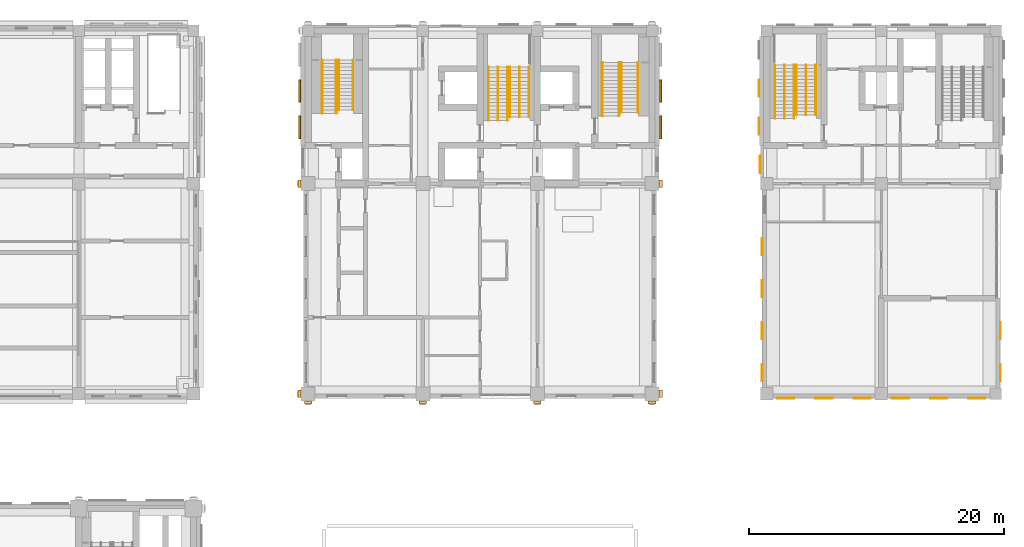
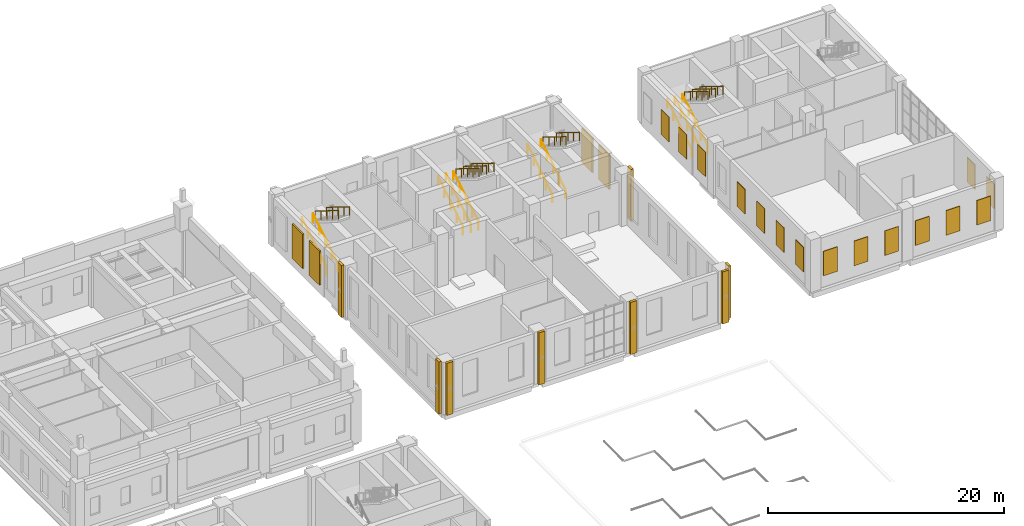
# One storey, part 31 of 37: 27 coverings, 20 railings.
"""IFC4 building model written with IfcOpenShell, lengths in metres."""

from ifc_helpers import new_model, si_unit, direction, frame, origin, origin_2d, place, context, subcontext, project, spatial, rectangle, circle, extrude, material, layer, layer_set, type_object, element, save


model = new_model("IFC4")

# Units and contexts
model_context = context("Model", 3, precision=1e-05, world=origin(), true_north=direction((0.0, 1.0)))
body_context = subcontext(model_context, "Body", "Model", "MODEL_VIEW")
ifc_project = project(units=[si_unit("LENGTHUNIT", "METRE"), si_unit("AREAUNIT", "SQUARE_METRE"), si_unit("VOLUMEUNIT", "CUBIC_METRE"), si_unit("PLANEANGLEUNIT", "RADIAN"), si_unit("MASSUNIT", "GRAM", prefix="KILO")], contexts=[model_context])

# Site, building, storey
site_placement = place(None, origin())
site = spatial("IfcSite", under=ifc_project, at=site_placement, CompositionType="ELEMENT")
building_placement = place(site_placement, origin())
building = spatial("IfcBuilding", under=site, at=building_placement, Name="Aurelan Courthouse", CompositionType="ELEMENT")
storey_placement = place(building_placement, frame((0.0, 0.0, 17.39990234375)))
storey = spatial("IfcBuildingStorey", under=building, at=storey_placement, Name="L03", CompositionType="ELEMENT", Elevation=17.39990234375)

# Coverings
ifc_material_1 = material(Name="Limestone cladding", Category="masonry")
covering_type_1 = type_object("IfcCoveringType", Name="Courtroom Block pilaster fin 600 x 250", PredefinedType="CLADDING", material=ifc_material_1)
for number, where, z_axis, x_axis, name in (
    (1, (36.0, 36.824951171875, 0.000244140625), (0.0, 0.0, 1.0), (1.0, 0.0, 0.0), "Pilaster fin FN-V2-012"),
    (2, (45.0, 36.824951171875, 0.000244140625), (0.0, 0.0, 1.0), (1.0, 0.0, 0.0), "Pilaster fin FN-V2-013"),
    (3, (54.0, 36.824951171875, 0.000244140625), (0.0, 0.0, 1.0), (1.0, 0.0, 0.0), "Pilaster fin FN-V2-014"),
    (4, (63.0, 36.824951171875, 0.000244140625), (0.0, 0.0, 1.0), (1.0, 0.0, 0.0), "Pilaster fin FN-V2-015"),
):
    element("IfcCovering", number, at=place(storey_placement, frame(where, z_axis=z_axis, x_axis=x_axis)), inside=storey, type_object=covering_type_1, Name=name, PredefinedType="CLADDING", context=body_context, shape_type="SweptSolid", body=[
        extrude(rectangle(XDim=0.60009765625, YDim=0.25, at=origin_2d()), origin(), (0.0, 0.0, 1.0), 5.39990234375),
    ])
for number, where, z_axis, x_axis, name in (
    (5, (63.675048828125, 37.5, 0.000244140625), (0.0, 0.0, 1.0), (1.0, 0.0, 0.0), "Pilaster fin FN-V2-020"),
    (6, (63.675048828125, 54.0, 0.000244140625), (0.0, 0.0, 1.0), (1.0, 0.0, 0.0), "Pilaster fin FN-V2-021"),
    (7, (35.324951171875, 37.5, 0.000244140625), (0.0, 0.0, 1.0), (1.0, 0.0, 0.0), "Pilaster fin FN-V2-023"),
    (8, (35.324951171875, 54.0, 0.000244140625), (0.0, 0.0, 1.0), (1.0, 0.0, 0.0), "Pilaster fin FN-V2-024"),
):
    element("IfcCovering", number, at=place(storey_placement, frame(where, z_axis=z_axis, x_axis=x_axis)), inside=storey, type_object=covering_type_1, Name=name, PredefinedType="CLADDING", context=body_context, shape_type="SweptSolid", body=[
        extrude(rectangle(XDim=0.25, YDim=0.60009765625, at=origin_2d()), origin(), (0.0, 0.0, 1.0), 5.39990234375),
    ])
ifc_material_2 = material(Name="Bronze sheet cladding")
ifc_layer_1 = layer(ifc_material_2, 0.06005859375)
ifc_layer_set_1 = layer_set([ifc_layer_1], Name="Bronze sheet cladding")
covering_type_2 = type_object("IfcCoveringType", Name="Law Library blind bay 1350 x 2550", PredefinedType="CLADDING", material=ifc_layer_set_1)
for number, where, z_axis, x_axis, name in (
    (9, (73.5, 37.14990234375, 1.2001953125), (0.0, 0.0, 1.0), (1.0, 0.0, 0.0), "Blind bay BB-V3-L03-001"),
    (10, (76.5, 37.14990234375, 1.2001953125), (0.0, 0.0, 1.0), (1.0, 0.0, 0.0), "Blind bay BB-V3-L03-002"),
    (11, (79.5, 37.14990234375, 1.2001953125), (0.0, 0.0, 1.0), (1.0, 0.0, 0.0), "Blind bay BB-V3-L03-003"),
    (12, (82.5, 37.14990234375, 1.2001953125), (0.0, 0.0, 1.0), (1.0, 0.0, 0.0), "Blind bay BB-V3-L03-004"),
    (13, (85.5, 37.14990234375, 1.2001953125), (0.0, 0.0, 1.0), (1.0, 0.0, 0.0), "Blind bay BB-V3-L03-005"),
    (14, (88.5, 37.14990234375, 1.2001953125), (0.0, 0.0, 1.0), (1.0, 0.0, 0.0), "Blind bay BB-V3-L03-006"),
):
    element("IfcCovering", number, at=place(storey_placement, frame(where, z_axis=z_axis, x_axis=x_axis)), inside=storey, type_object=covering_type_2, Name=name, PredefinedType="CLADDING", context=body_context, shape_type="SweptSolid", body=[
        extrude(rectangle(XDim=1.35009765625, YDim=0.06005859375, at=origin_2d()), origin(), (0.0, 0.0, 1.0), 2.550048828125),
    ])
for number, where, z_axis, x_axis, name in (
    (15, (90.35009765625, 39.14990234375, 1.2001953125), (0.0, 0.0, 1.0), (1.0, 0.0, 0.0), "Blind bay BB-V3-L03-013"),
    (16, (90.35009765625, 42.449951171875, 1.2001953125), (0.0, 0.0, 1.0), (1.0, 0.0, 0.0), "Blind bay BB-V3-L03-014"),
    (17, (71.64990234375, 39.14990234375, 1.2001953125), (0.0, 0.0, 1.0), (1.0, 0.0, 0.0), "Blind bay BB-V3-L03-019"),
    (18, (71.64990234375, 42.449951171875, 1.2001953125), (0.0, 0.0, 1.0), (1.0, 0.0, 0.0), "Blind bay BB-V3-L03-020"),
    (19, (71.64990234375, 45.75, 1.2001953125), (0.0, 0.0, 1.0), (1.0, 0.0, 0.0), "Blind bay BB-V3-L03-021"),
    (20, (71.64990234375, 49.050048828125, 1.2001953125), (0.0, 0.0, 1.0), (1.0, 0.0, 0.0), "Blind bay BB-V3-L03-022"),
    (21, (71.5, 55.5, 1.2001953125), (0.0, 0.0, 1.0), (1.0, 0.0, 0.0), "Blind bay BB-V3-L03-023"),
    (22, (71.39990234375, 58.5, 1.2001953125), (0.0, 0.0, 1.0), (1.0, 0.0, 0.0), "Blind bay BB-V3-L03-024"),
    (23, (71.39990234375, 61.5, 1.2001953125), (0.0, 0.0, 1.0), (1.0, 0.0, 0.0), "Blind bay BB-V3-L03-025"),
):
    element("IfcCovering", number, at=place(storey_placement, frame(where, z_axis=z_axis, x_axis=x_axis)), inside=storey, type_object=covering_type_2, Name=name, PredefinedType="CLADDING", context=body_context, shape_type="SweptSolid", body=[
        extrude(rectangle(XDim=0.06005859375, YDim=1.35009765625, at=origin_2d()), origin(), (0.0, 0.0, 1.0), 2.550048828125),
    ])
ifc_layer_2 = layer(ifc_material_2, 0.14990234375)
ifc_layer_set_2 = layer_set([ifc_layer_2], Name="Bronze sheet cladding")
covering_type_3 = type_object("IfcCoveringType", Name="Relief panel 1800 x 3550 x 150", PredefinedType="CLADDING", material=ifc_layer_set_2)
for number, where, z_axis, x_axis, name in (
    (24, (35.324951171875, 58.425048828125, 1.0), (0.0, 0.0, 1.0), (1.0, 0.0, 0.0), "Relief panel RP-V2-018"),
    (25, (35.324951171875, 61.27490234375, 1.0), (0.0, 0.0, 1.0), (1.0, 0.0, 0.0), "Relief panel RP-V2-019"),
    (26, (63.675048828125, 58.425048828125, 1.0), (0.0, 0.0, 1.0), (1.0, 0.0, 0.0), "Relief panel RP-V2-021"),
    (27, (63.675048828125, 61.27490234375, 1.0), (0.0, 0.0, 1.0), (1.0, 0.0, 0.0), "Relief panel RP-V2-022"),
):
    element("IfcCovering", number, at=place(storey_placement, frame(where, z_axis=z_axis, x_axis=x_axis)), inside=storey, type_object=covering_type_3, Name=name, PredefinedType="CLADDING", context=body_context, shape_type="SweptSolid", body=[
        extrude(rectangle(XDim=0.14990234375, YDim=1.800048828125, at=origin_2d()), origin(), (0.0, 0.0, 1.0), 3.550048828125),
    ])

# Railings
ifc_material_3 = material(Name="Steel S355", Category="steel")
railing_type = type_object("IfcRailingType", Name="Stair handrail 900", PredefinedType="HANDRAIL", material=ifc_material_3)
for number, where, name in (
    (28, (37.110107421875, 59.510009765625, 0.17431640625), "Handrail CS-2-L03-H1"),
    (29, (38.2099609375, 59.510009765625, 0.17431640625), "Handrail CS-2-L03-H2"),
):
    element("IfcRailing", number, at=place(storey_placement, frame(where)), inside=storey, type_object=railing_type, Name=name, PredefinedType="HANDRAIL", context=body_context, shape_type="SweptSolid", body=[
        extrude(circle(Radius=0.02392578125, at=origin_2d()), frame((0.0, 0.0, 0.8759765625), z_axis=(0.0, 0.849102848233, 0.528227558088), x_axis=(-1.0, 0.0, 0.0)), (0.0, 0.0, 1.0), 4.9462890625),
        extrude(circle(Radius=0.02099609375, at=origin_2d()), origin(), (0.0, 0.0, 1.0), 0.851806640625),
        extrude(circle(Radius=0.02099609375, at=origin_2d()), frame((0.0, 1.050048828125, 0.6533203125)), (0.0, 0.0, 1.0), 0.851806640625),
        extrude(circle(Radius=0.02099609375, at=origin_2d()), frame((0.0, 2.10009765625, 1.306396484375)), (0.0, 0.0, 1.0), 0.851806640625),
        extrude(circle(Radius=0.02099609375, at=origin_2d()), frame((0.0, 3.14990234375, 1.95947265625)), (0.0, 0.0, 1.0), 0.851806640625),
        extrude(circle(Radius=0.02099609375, at=origin_2d()), frame((0.0, 4.199951171875, 2.61279296875)), (0.0, 0.0, 1.0), 0.851806640625),
    ])
for number, where, name in (
    (30, (38.409912109375, 63.7099609375, 2.96142578125), "Handrail CS-2-L03-H3"),
    (31, (39.510009765625, 63.7099609375, 2.96142578125), "Handrail CS-2-L03-H4"),
):
    element("IfcRailing", number, at=place(storey_placement, frame(where)), inside=storey, type_object=railing_type, Name=name, PredefinedType="HANDRAIL", context=body_context, shape_type="SweptSolid", body=[
        extrude(circle(Radius=0.02392578125, at=origin_2d()), frame((0.0, 0.0, 0.8759765625), z_axis=(0.0, -0.849089811655, 0.528248513243), x_axis=(1.0, 0.0, 0.0)), (0.0, 0.0, 1.0), 4.61669921875),
        extrude(circle(Radius=0.02099609375, at=origin_2d()), origin(), (0.0, 0.0, 1.0), 0.851806640625),
        extrude(circle(Radius=0.02099609375, at=origin_2d()), frame((0.0, -0.97998046875, 0.609619140625)), (0.0, 0.0, 1.0), 0.851806640625),
        extrude(circle(Radius=0.02099609375, at=origin_2d()), frame((0.0, -1.9599609375, 1.21923828125)), (0.0, 0.0, 1.0), 0.851806640625),
        extrude(circle(Radius=0.02099609375, at=origin_2d()), frame((0.0, -2.93994140625, 1.8291015625)), (0.0, 0.0, 1.0), 0.851806640625),
        extrude(circle(Radius=0.02099609375, at=origin_2d()), frame((0.0, -3.919921875, 2.438720703125)), (0.0, 0.0, 1.0), 0.851806640625),
    ])
for number, where, name in (
    (32, (50.14990234375, 58.9599609375, 0.17431640625), "Handrail ST-2A-L03-H1"),
    (33, (51.64990234375, 58.9599609375, 0.17431640625), "Handrail ST-2A-L03-H2"),
    (34, (50.89990234375, 58.9599609375, 0.17431640625), "Handrail ST-2A-L03-H3"),
):
    element("IfcRailing", number, at=place(storey_placement, frame(where)), inside=storey, type_object=railing_type, Name=name, PredefinedType="HANDRAIL", context=body_context, shape_type="SweptSolid", body=[
        extrude(circle(Radius=0.02392578125, at=origin_2d()), frame((0.0, 0.0, 0.8759765625), z_axis=(0.0, 0.849102848233, 0.528227558088), x_axis=(-1.0, 0.0, 0.0)), (0.0, 0.0, 1.0), 4.9462890625),
        extrude(circle(Radius=0.02099609375, at=origin_2d()), origin(), (0.0, 0.0, 1.0), 0.851806640625),
        extrude(circle(Radius=0.02099609375, at=origin_2d()), frame((0.0, 1.050048828125, 0.6533203125)), (0.0, 0.0, 1.0), 0.851806640625),
        extrude(circle(Radius=0.02099609375, at=origin_2d()), frame((0.0, 2.10009765625, 1.306396484375)), (0.0, 0.0, 1.0), 0.851806640625),
        extrude(circle(Radius=0.02099609375, at=origin_2d()), frame((0.0, 3.14990234375, 1.95947265625)), (0.0, 0.0, 1.0), 0.851806640625),
        extrude(circle(Radius=0.02099609375, at=origin_2d()), frame((0.0, 4.199951171875, 2.61279296875)), (0.0, 0.0, 1.0), 0.851806640625),
    ])
for number, where, name in (
    (35, (51.85009765625, 63.159912109375, 2.96142578125), "Handrail ST-2A-L03-H4"),
    (36, (53.35009765625, 63.159912109375, 2.96142578125), "Handrail ST-2A-L03-H5"),
    (37, (52.60009765625, 63.159912109375, 2.96142578125), "Handrail ST-2A-L03-H6"),
):
    element("IfcRailing", number, at=place(storey_placement, frame(where)), inside=storey, type_object=railing_type, Name=name, PredefinedType="HANDRAIL", context=body_context, shape_type="SweptSolid", body=[
        extrude(circle(Radius=0.02392578125, at=origin_2d()), frame((0.0, 0.0, 0.8759765625), z_axis=(0.0, -0.849089811655, 0.528248513243), x_axis=(1.0, 0.0, 0.0)), (0.0, 0.0, 1.0), 4.61669921875),
        extrude(circle(Radius=0.02099609375, at=origin_2d()), origin(), (0.0, 0.0, 1.0), 0.851806640625),
        extrude(circle(Radius=0.02099609375, at=origin_2d()), frame((0.0, -0.97998046875, 0.609619140625)), (0.0, 0.0, 1.0), 0.851806640625),
        extrude(circle(Radius=0.02099609375, at=origin_2d()), frame((0.0, -1.9599609375, 1.21923828125)), (0.0, 0.0, 1.0), 0.851806640625),
        extrude(circle(Radius=0.02099609375, at=origin_2d()), frame((0.0, -2.93994140625, 1.8291015625)), (0.0, 0.0, 1.0), 0.851806640625),
        extrude(circle(Radius=0.02099609375, at=origin_2d()), frame((0.0, -3.919921875, 2.438720703125)), (0.0, 0.0, 1.0), 0.851806640625),
    ])
for number, where, name in (
    (38, (59.090087890625, 59.31005859375, 0.17431640625), "Handrail ST-2E-L03-H1"),
    (39, (60.389892578125, 59.31005859375, 0.17431640625), "Handrail ST-2E-L03-H2"),
):
    element("IfcRailing", number, at=place(storey_placement, frame(where)), inside=storey, type_object=railing_type, Name=name, PredefinedType="HANDRAIL", context=body_context, shape_type="SweptSolid", body=[
        extrude(circle(Radius=0.02392578125, at=origin_2d()), frame((0.0, 0.0, 0.8759765625), z_axis=(0.0, 0.849102848233, 0.528227558088), x_axis=(-1.0, 0.0, 0.0)), (0.0, 0.0, 1.0), 4.9462890625),
        extrude(circle(Radius=0.02099609375, at=origin_2d()), origin(), (0.0, 0.0, 1.0), 0.851806640625),
        extrude(circle(Radius=0.02099609375, at=origin_2d()), frame((0.0, 1.050048828125, 0.6533203125)), (0.0, 0.0, 1.0), 0.851806640625),
        extrude(circle(Radius=0.02099609375, at=origin_2d()), frame((0.0, 2.10009765625, 1.306396484375)), (0.0, 0.0, 1.0), 0.851806640625),
        extrude(circle(Radius=0.02099609375, at=origin_2d()), frame((0.0, 3.14990234375, 1.95947265625)), (0.0, 0.0, 1.0), 0.851806640625),
        extrude(circle(Radius=0.02099609375, at=origin_2d()), frame((0.0, 4.199951171875, 2.61279296875)), (0.0, 0.0, 1.0), 0.851806640625),
    ])
for number, where, name in (
    (40, (60.590087890625, 63.510009765625, 2.96142578125), "Handrail ST-2E-L03-H3"),
    (41, (61.889892578125, 63.510009765625, 2.96142578125), "Handrail ST-2E-L03-H4"),
):
    element("IfcRailing", number, at=place(storey_placement, frame(where)), inside=storey, type_object=railing_type, Name=name, PredefinedType="HANDRAIL", context=body_context, shape_type="SweptSolid", body=[
        extrude(circle(Radius=0.02392578125, at=origin_2d()), frame((0.0, 0.0, 0.8759765625), z_axis=(0.0, -0.849089811655, 0.528248513243), x_axis=(1.0, 0.0, 0.0)), (0.0, 0.0, 1.0), 4.61669921875),
        extrude(circle(Radius=0.02099609375, at=origin_2d()), origin(), (0.0, 0.0, 1.0), 0.851806640625),
        extrude(circle(Radius=0.02099609375, at=origin_2d()), frame((0.0, -0.97998046875, 0.609619140625)), (0.0, 0.0, 1.0), 0.851806640625),
        extrude(circle(Radius=0.02099609375, at=origin_2d()), frame((0.0, -1.9599609375, 1.21923828125)), (0.0, 0.0, 1.0), 0.851806640625),
        extrude(circle(Radius=0.02099609375, at=origin_2d()), frame((0.0, -2.93994140625, 1.8291015625)), (0.0, 0.0, 1.0), 0.851806640625),
        extrude(circle(Radius=0.02099609375, at=origin_2d()), frame((0.0, -3.919921875, 2.438720703125)), (0.0, 0.0, 1.0), 0.851806640625),
    ])
for number, where, name in (
    (42, (72.64990234375, 59.110107421875, 0.17431640625), "Handrail ST-3A-L03-H1"),
    (43, (74.14990234375, 59.110107421875, 0.17431640625), "Handrail ST-3A-L03-H2"),
    (44, (73.39990234375, 59.110107421875, 0.17431640625), "Handrail ST-3A-L03-H3"),
):
    element("IfcRailing", number, at=place(storey_placement, frame(where)), inside=storey, type_object=railing_type, Name=name, PredefinedType="HANDRAIL", context=body_context, shape_type="SweptSolid", body=[
        extrude(circle(Radius=0.02392578125, at=origin_2d()), frame((0.0, 0.0, 0.8759765625), z_axis=(0.0, 0.849102848233, 0.528227558088), x_axis=(-1.0, 0.0, 0.0)), (0.0, 0.0, 1.0), 4.9462890625),
        extrude(circle(Radius=0.02099609375, at=origin_2d()), origin(), (0.0, 0.0, 1.0), 0.851806640625),
        extrude(circle(Radius=0.02099609375, at=origin_2d()), frame((0.0, 1.050048828125, 0.6533203125)), (0.0, 0.0, 1.0), 0.851806640625),
        extrude(circle(Radius=0.02099609375, at=origin_2d()), frame((0.0, 2.10009765625, 1.306396484375)), (0.0, 0.0, 1.0), 0.851806640625),
        extrude(circle(Radius=0.02099609375, at=origin_2d()), frame((0.0, 3.14990234375, 1.95947265625)), (0.0, 0.0, 1.0), 0.851806640625),
        extrude(circle(Radius=0.02099609375, at=origin_2d()), frame((0.0, 4.199951171875, 2.61279296875)), (0.0, 0.0, 1.0), 0.851806640625),
    ])
for number, where, name in (
    (45, (74.35009765625, 63.31005859375, 2.96142578125), "Handrail ST-3A-L03-H4"),
    (46, (75.85009765625, 63.31005859375, 2.96142578125), "Handrail ST-3A-L03-H5"),
    (47, (75.10009765625, 63.31005859375, 2.96142578125), "Handrail ST-3A-L03-H6"),
):
    element("IfcRailing", number, at=place(storey_placement, frame(where)), inside=storey, type_object=railing_type, Name=name, PredefinedType="HANDRAIL", context=body_context, shape_type="SweptSolid", body=[
        extrude(circle(Radius=0.02392578125, at=origin_2d()), frame((0.0, 0.0, 0.8759765625), z_axis=(0.0, -0.849104567483, 0.528224794457), x_axis=(1.0, 0.0, 0.0)), (0.0, 0.0, 1.0), 4.616943359375),
        extrude(circle(Radius=0.02099609375, at=origin_2d()), origin(), (0.0, 0.0, 1.0), 0.851806640625),
        extrude(circle(Radius=0.02099609375, at=origin_2d()), frame((0.0, -0.97998046875, 0.609619140625)), (0.0, 0.0, 1.0), 0.851806640625),
        extrude(circle(Radius=0.02099609375, at=origin_2d()), frame((0.0, -1.9599609375, 1.21923828125)), (0.0, 0.0, 1.0), 0.851806640625),
        extrude(circle(Radius=0.02099609375, at=origin_2d()), frame((0.0, -2.940185546875, 1.8291015625)), (0.0, 0.0, 1.0), 0.851806640625),
        extrude(circle(Radius=0.02099609375, at=origin_2d()), frame((0.0, -3.920166015625, 2.438720703125)), (0.0, 0.0, 1.0), 0.851806640625),
    ])

save(model, "model.ifc")
